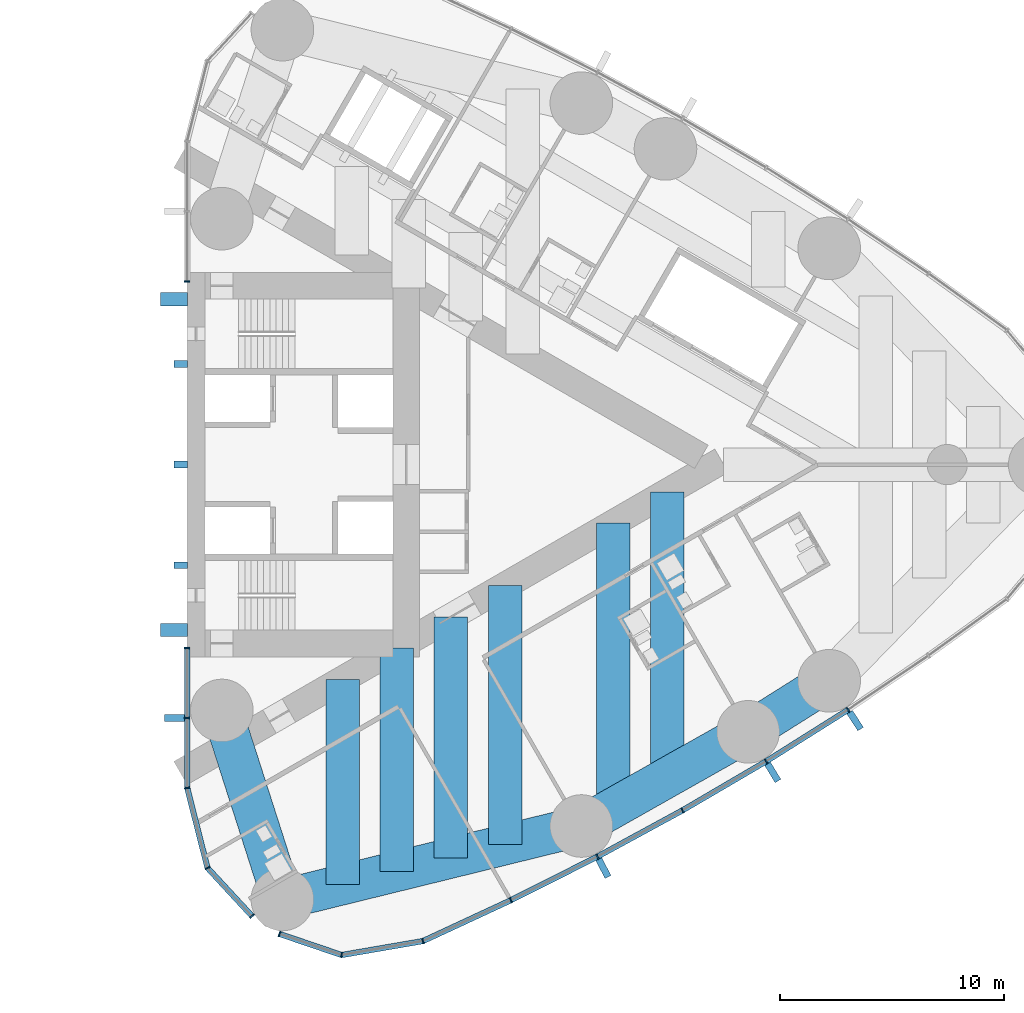
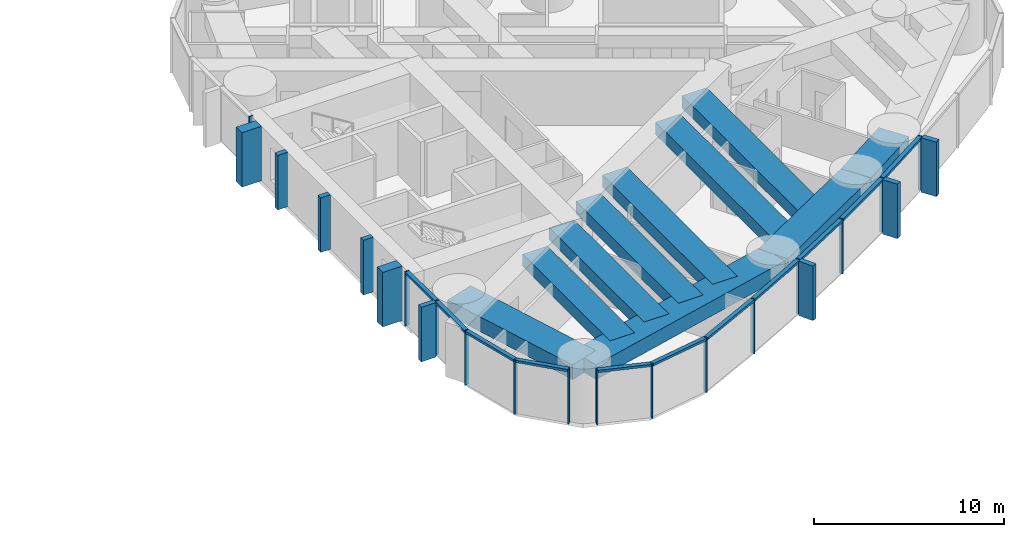
# One storey, part 6 of 19: 34 members, 10 beams, 3 elements without a shape of their own.
"""IFC4 building model written with IfcOpenShell, lengths in metres."""

from ifc_helpers import new_model, si_unit, direction, frame, origin, origin_2d, place, context, subcontext, project, spatial, rectangle, extrude, material, material_profile, profile_set, type_object, element, aggregate, save


model = new_model("IFC4")

# Units and contexts
model_context = context("Model", 3, precision=1e-05, world=origin(), true_north=direction((0.0, 1.0)))
body_context = subcontext(model_context, "Body", "Model", "MODEL_VIEW")
ifc_project = project(units=[si_unit("LENGTHUNIT", "METRE"), si_unit("AREAUNIT", "SQUARE_METRE"), si_unit("VOLUMEUNIT", "CUBIC_METRE"), si_unit("PLANEANGLEUNIT", "RADIAN"), si_unit("MASSUNIT", "GRAM", prefix="KILO")], contexts=[model_context])

# Site, building, storey
site_placement = place(None, origin())
site = spatial("IfcSite", under=ifc_project, at=site_placement, CompositionType="ELEMENT")
building_placement = place(site_placement, origin())
building = spatial("IfcBuilding", under=site, at=building_placement, Name="Lancet Gate Hotel", CompositionType="ELEMENT")
storey_placement = place(building_placement, frame((0.0, 0.0, 159.800048828125)))
storey = spatial("IfcBuildingStorey", under=building, at=storey_placement, Name="L42", CompositionType="ELEMENT", Elevation=159.800048828125)

# Curtain wall, members
ifc_material_1 = material(Name="Aluminium curtain wall", Category="aluminium")
curtain_wall_type = type_object("IfcCurtainWallType", Name="Tower unitised curtain wall", PredefinedType="USERDEFINED", material=ifc_material_1)
curtain_wall_1_placement = place(storey_placement, origin())
curtain_wall_1 = element("IfcCurtainWall", 1, at=curtain_wall_1_placement, inside=storey, type_object=curtain_wall_type, Name="T2 L42 curtain wall 1", ObjectType="UNITISED CURTAIN WALL", PredefinedType="USERDEFINED")
ifc_material_2 = material(Name="Aluminium mullion", Category="aluminium")
ifc_material_profile_1 = material_profile(ifc_material_2, rectangle(XDim=0.06494140625, YDim=0.25, at=origin_2d()), Name="MULLION 65x250")
ifc_profile_set_1 = profile_set([ifc_material_profile_1], Name="Aluminium mullion")
member_type_1 = type_object("IfcMemberType", Name="Aluminium mullion 65x250", PredefinedType="MULLION", material=ifc_profile_set_1)
member_1_placement = place(storey_placement, frame((27.5, -8.199951171875, 0.0), z_axis=(0.0, 0.0, 1.0), x_axis=(0.0, -1.0, 0.0)))
member_1 = element("IfcMember", 2, at=member_1_placement, type_object=member_type_1, Name="T2 L42 curtain wall 1 mullion 1", PredefinedType="MULLION", context=body_context, shape_type="SweptSolid", body=[
    extrude(rectangle(XDim=0.06494140625, YDim=0.25, at=origin_2d()), origin(), (0.0, 0.0, 1.0), 3.5),
])
member_2_placement = place(storey_placement, frame((27.5, -11.332763671875, 0.0), z_axis=(0.0, 0.0, 1.0), x_axis=(0.0, -1.0, 0.0)))
member_2 = element("IfcMember", 3, at=member_2_placement, type_object=member_type_1, Name="T2 L42 curtain wall 1 mullion 2", PredefinedType="MULLION", context=body_context, shape_type="SweptSolid", body=[
    extrude(rectangle(XDim=0.06494140625, YDim=0.25, at=origin_2d()), origin(), (0.0, 0.0, 1.0), 3.5),
])
member_3_placement = place(storey_placement, frame((27.5, -14.465576171875, 0.0), z_axis=(0.0, 0.0, 1.0), x_axis=(0.134206524909, -0.990953383703, 0.0)))
member_3 = element("IfcMember", 4, at=member_3_placement, type_object=member_type_1, Name="T2 L42 curtain wall 1 mullion 3", PredefinedType="MULLION", context=body_context, shape_type="SweptSolid", body=[
    extrude(rectangle(XDim=0.06494140625, YDim=0.25, at=origin_2d()), origin(), (0.0, 0.0, 1.0), 3.5),
])
member_4_placement = place(storey_placement, frame((28.408935546875, -18.04443359375, 0.0), z_axis=(0.0, 0.0, 1.0), x_axis=(0.451505925065, -0.892268120932, 0.0)))
member_4 = element("IfcMember", 5, at=member_4_placement, type_object=member_type_1, Name="T2 L42 curtain wall 1 mullion 4", PredefinedType="MULLION", context=body_context, shape_type="SweptSolid", body=[
    extrude(rectangle(XDim=0.06494140625, YDim=0.25, at=origin_2d()), origin(), (0.0, 0.0, 1.0), 3.5),
])
member_5_placement = place(storey_placement, frame((30.40185546875, -20.199951171875, 0.0), z_axis=(0.0, 0.0, 1.0), x_axis=(0.67883123083, -0.734294327943, 0.0)))
member_5 = element("IfcMember", 6, at=member_5_placement, type_object=member_type_1, Name="T2 L42 curtain wall 1 mullion 5", PredefinedType="MULLION", context=body_context, shape_type="SweptSolid", body=[
    extrude(rectangle(XDim=0.06494140625, YDim=0.25, at=origin_2d()), origin(), (0.0, 0.0, 1.0), 3.5),
])

curtain_wall_2_placement = place(storey_placement, origin())
curtain_wall_2 = element("IfcCurtainWall", 7, at=curtain_wall_2_placement, inside=storey, type_object=curtain_wall_type, Name="T2 L42 curtain wall 2", ObjectType="UNITISED CURTAIN WALL", PredefinedType="USERDEFINED")
member_6_placement = place(storey_placement, frame((31.631591796875, -20.998779296875, 0.0), z_axis=(0.0, 0.0, 1.0), x_axis=(0.946952368511, -0.321373943827, 0.0)))
member_6 = element("IfcMember", 8, at=member_6_placement, type_object=member_type_1, Name="T2 L42 curtain wall 2 mullion 1", PredefinedType="MULLION", context=body_context, shape_type="SweptSolid", body=[
    extrude(rectangle(XDim=0.06494140625, YDim=0.25, at=origin_2d()), origin(), (0.0, 0.0, 1.0), 3.5),
])
member_7_placement = place(storey_placement, frame((34.412109375, -21.9423828125, 0.0), z_axis=(0.0, 0.0, 1.0), x_axis=(0.99877556888, -0.049470829879, 0.0)))
member_7 = element("IfcMember", 9, at=member_7_placement, type_object=member_type_1, Name="T2 L42 curtain wall 2 mullion 2", PredefinedType="MULLION", context=body_context, shape_type="SweptSolid", body=[
    extrude(rectangle(XDim=0.06494140625, YDim=0.25, at=origin_2d()), origin(), (0.0, 0.0, 1.0), 3.5),
])
member_8_placement = place(storey_placement, frame((38.05126953125, -21.31689453125, 0.0), z_axis=(0.0, 0.0, 1.0), x_axis=(0.951355493327, 0.308095318555, 0.0)))
member_8 = element("IfcMember", 10, at=member_8_placement, type_object=member_type_1, Name="T2 L42 curtain wall 2 mullion 3", PredefinedType="MULLION", context=body_context, shape_type="SweptSolid", body=[
    extrude(rectangle(XDim=0.06494140625, YDim=0.25, at=origin_2d()), origin(), (0.0, 0.0, 1.0), 3.5),
])
member_9_placement = place(storey_placement, frame((41.98193359375, -19.490966796875, 0.0), z_axis=(0.0, 0.0, 1.0), x_axis=(0.900141333422, 0.435597956681, 0.0)))
member_9 = element("IfcMember", 11, at=member_9_placement, type_object=member_type_1, Name="T2 L42 curtain wall 2 mullion 4", PredefinedType="MULLION", context=body_context, shape_type="SweptSolid", body=[
    extrude(rectangle(XDim=0.06494140625, YDim=0.25, at=origin_2d()), origin(), (0.0, 0.0, 1.0), 3.5),
])
member_10_placement = place(storey_placement, frame((45.8525390625, -17.54150390625, 0.0), z_axis=(0.0, 0.0, 1.0), x_axis=(0.885877049989, 0.463920092584, 0.0)))
member_10 = element("IfcMember", 12, at=member_10_placement, type_object=member_type_1, Name="T2 L42 curtain wall 2 mullion 5", PredefinedType="MULLION", context=body_context, shape_type="SweptSolid", body=[
    extrude(rectangle(XDim=0.06494140625, YDim=0.25, at=origin_2d()), origin(), (0.0, 0.0, 1.0), 3.5),
])
member_11_placement = place(storey_placement, frame((49.65966796875, -15.47021484375, 0.0), z_axis=(0.0, 0.0, 1.0), x_axis=(0.870721916932, 0.491775704336, 0.0)))
member_11 = element("IfcMember", 13, at=member_11_placement, type_object=member_type_1, Name="T2 L42 curtain wall 2 mullion 6", PredefinedType="MULLION", context=body_context, shape_type="SweptSolid", body=[
    extrude(rectangle(XDim=0.06494140625, YDim=0.25, at=origin_2d()), origin(), (0.0, 0.0, 1.0), 3.5),
])
member_12_placement = place(storey_placement, frame((53.39892578125, -13.279541015625, 0.0), z_axis=(0.0, 0.0, 1.0), x_axis=(0.854691174453, 0.519136779965, 0.0)))
member_12 = element("IfcMember", 14, at=member_12_placement, type_object=member_type_1, Name="T2 L42 curtain wall 2 mullion 7", PredefinedType="MULLION", context=body_context, shape_type="SweptSolid", body=[
    extrude(rectangle(XDim=0.06494140625, YDim=0.25, at=origin_2d()), origin(), (0.0, 0.0, 1.0), 3.5),
])
member_13_placement = place(storey_placement, frame((57.067138671875, -10.970947265625, 0.0), z_axis=(0.0, 0.0, 1.0), x_axis=(0.837800943278, 0.545975804815, 0.0)))
member_13 = element("IfcMember", 15, at=member_13_placement, type_object=member_type_1, Name="T2 L42 curtain wall 2 mullion 8", PredefinedType="MULLION", context=body_context, shape_type="SweptSolid", body=[
    extrude(rectangle(XDim=0.06494140625, YDim=0.25, at=origin_2d()), origin(), (0.0, 0.0, 1.0), 3.5),
])

# Curtain wall, member
curtain_wall_3_placement = place(storey_placement, origin())
curtain_wall_3 = element("IfcCurtainWall", 16, at=curtain_wall_3_placement, inside=storey, type_object=curtain_wall_type, Name="T2 L42 curtain wall 4", ObjectType="UNITISED CURTAIN WALL", PredefinedType="USERDEFINED")
member_14_placement = place(storey_placement, frame((27.5, 8.199951171875, 0.0), z_axis=(0.0, 0.0, 1.0), x_axis=(0.0, -1.0, 0.0)))
member_14 = element("IfcMember", 17, at=member_14_placement, type_object=member_type_1, Name="T2 L42 curtain wall 4 mullion 5", PredefinedType="MULLION", context=body_context, shape_type="SweptSolid", body=[
    extrude(rectangle(XDim=0.06494140625, YDim=0.25, at=origin_2d()), origin(), (0.0, 0.0, 1.0), 3.5),
])
aggregate(curtain_wall_3, [member_14])

# Member
ifc_material_3 = material(Name="Aluminium transom", Category="aluminium")
ifc_material_profile_2 = material_profile(ifc_material_3, rectangle(XDim=0.25, YDim=0.14990234375, at=origin_2d()), Name="TRANSOM 250x150")
ifc_profile_set_2 = profile_set([ifc_material_profile_2], Name="Aluminium transom")
member_type_2 = type_object("IfcMemberType", Name="Aluminium transom 250x150", PredefinedType="USERDEFINED", material=ifc_profile_set_2)
member_15_placement = place(storey_placement, frame((27.5, -8.232421875, 3.425048828125), z_axis=(0.0, -1.0, 0.0), x_axis=(1.0, 0.0, 0.0)))
member_15 = element("IfcMember", 18, at=member_15_placement, type_object=member_type_2, Name="T2 L42 curtain wall 1 transom 1", ObjectType="TRANSOM", PredefinedType="USERDEFINED", context=body_context, shape_type="SweptSolid", body=[
    extrude(rectangle(XDim=0.25, YDim=0.14990234375, at=origin_2d()), origin(), (0.0, 0.0, 1.0), 3.06787109375),
])

member_16_placement = place(storey_placement, frame((27.5, -11.365234375, 3.425048828125), z_axis=(0.0, -1.0, 0.0), x_axis=(1.0, 0.0, 0.0)))
member_16 = element("IfcMember", 19, at=member_16_placement, type_object=member_type_2, Name="T2 L42 curtain wall 1 transom 2", ObjectType="TRANSOM", PredefinedType="USERDEFINED", context=body_context, shape_type="SweptSolid", body=[
    extrude(rectangle(XDim=0.25, YDim=0.14990234375, at=origin_2d()), origin(), (0.0, 0.0, 1.0), 3.06787109375),
])

member_17_placement = place(storey_placement, frame((27.508056640625, -14.4970703125, 3.425048828125), z_axis=(0.246128756616, -0.969237140831, 0.0), x_axis=(0.969237140831, 0.246128756616, 0.0)))
member_17 = element("IfcMember", 20, at=member_17_placement, type_object=member_type_2, Name="T2 L42 curtain wall 1 transom 3", ObjectType="TRANSOM", PredefinedType="USERDEFINED", context=body_context, shape_type="SweptSolid", body=[
    extrude(rectangle(XDim=0.25, YDim=0.14990234375, at=origin_2d()), origin(), (0.0, 0.0, 1.0), 3.62744140625),
])

member_18_placement = place(storey_placement, frame((28.43115234375, -18.068359375, 3.425048828125), z_axis=(0.678792146129, -0.734330458549, 0.0), x_axis=(0.734330458549, 0.678792146129, 0.0)))
member_18 = element("IfcMember", 21, at=member_18_placement, type_object=member_type_2, Name="T2 L42 curtain wall 1 transom 4", ObjectType="TRANSOM", PredefinedType="USERDEFINED", context=body_context, shape_type="SweptSolid", body=[
    extrude(rectangle(XDim=0.25, YDim=0.14990234375, at=origin_2d()), origin(), (0.0, 0.0, 1.0), 2.87060546875),
])

member_19_placement = place(storey_placement, frame((31.662353515625, -21.00927734375, 3.425048828125), z_axis=(0.946943122832, -0.321401185625, 0.0), x_axis=(0.321401185625, 0.946943122832, 0.0)))
member_19 = element("IfcMember", 22, at=member_19_placement, type_object=member_type_2, Name="T2 L42 curtain wall 2 transom 1", ObjectType="TRANSOM", PredefinedType="USERDEFINED", context=body_context, shape_type="SweptSolid", body=[
    extrude(rectangle(XDim=0.25, YDim=0.14990234375, at=origin_2d()), origin(), (0.0, 0.0, 1.0), 2.871337890625),
])

member_20_placement = place(storey_placement, frame((34.444091796875, -21.93701171875, 3.425048828125), z_axis=(0.985536950873, 0.169460669373, 0.0), x_axis=(-0.169460669373, 0.985536950873, 0.0)))
member_20 = element("IfcMember", 23, at=member_20_placement, type_object=member_type_2, Name="T2 L42 curtain wall 2 transom 2", ObjectType="TRANSOM", PredefinedType="USERDEFINED", context=body_context, shape_type="SweptSolid", body=[
    extrude(rectangle(XDim=0.25, YDim=0.14990234375, at=origin_2d()), origin(), (0.0, 0.0, 1.0), 3.627685546875),
])

member_21_placement = place(storey_placement, frame((38.080810546875, -21.30322265625, 3.425048828125), z_axis=(0.906913768492, 0.421316290357, 0.0), x_axis=(-0.421316290357, 0.906913768492, 0.0)))
member_21 = element("IfcMember", 24, at=member_21_placement, type_object=member_type_2, Name="T2 L42 curtain wall 2 transom 3", ObjectType="TRANSOM", PredefinedType="USERDEFINED", context=body_context, shape_type="SweptSolid", body=[
    extrude(rectangle(XDim=0.25, YDim=0.14990234375, at=origin_2d()), origin(), (0.0, 0.0, 1.0), 4.26904296875),
])

member_22_placement = place(storey_placement, frame((42.010986328125, -19.476318359375, 3.425048828125), z_axis=(0.893130969207, 0.449796700571, 0.0), x_axis=(-0.449796700571, 0.893130969207, 0.0)))
member_22 = element("IfcMember", 25, at=member_22_placement, type_object=member_type_2, Name="T2 L42 curtain wall 2 transom 4", ObjectType="TRANSOM", PredefinedType="USERDEFINED", context=body_context, shape_type="SweptSolid", body=[
    extrude(rectangle(XDim=0.25, YDim=0.14990234375, at=origin_2d()), origin(), (0.0, 0.0, 1.0), 4.26904296875),
])

member_23_placement = place(storey_placement, frame((45.881103515625, -17.526123046875, 3.425048828125), z_axis=(0.878404302735, 0.477918278513, 0.0), x_axis=(-0.477918278513, 0.878404302735, 0.0)))
member_23 = element("IfcMember", 26, at=member_23_placement, type_object=member_type_2, Name="T2 L42 curtain wall 2 transom 5", ObjectType="TRANSOM", PredefinedType="USERDEFINED", context=body_context, shape_type="SweptSolid", body=[
    extrude(rectangle(XDim=0.25, YDim=0.14990234375, at=origin_2d()), origin(), (0.0, 0.0, 1.0), 4.26904296875),
])

member_24_placement = place(storey_placement, frame((49.687744140625, -15.453857421875, 3.425048828125), z_axis=(0.862825279032, 0.505502262966, 0.0), x_axis=(-0.505502262966, 0.862825279032, 0.0)))
member_24 = element("IfcMember", 27, at=member_24_placement, type_object=member_type_2, Name="T2 L42 curtain wall 2 transom 6", ObjectType="TRANSOM", PredefinedType="USERDEFINED", context=body_context, shape_type="SweptSolid", body=[
    extrude(rectangle(XDim=0.25, YDim=0.14990234375, at=origin_2d()), origin(), (0.0, 0.0, 1.0), 4.26904296875),
])

member_25_placement = place(storey_placement, frame((53.426513671875, -13.26220703125, 3.425048828125), z_axis=(0.846333101657, 0.532653997488, 0.0), x_axis=(-0.532653997488, 0.846333101657, 0.0)))
member_25 = element("IfcMember", 28, at=member_25_placement, type_object=member_type_2, Name="T2 L42 curtain wall 2 transom 7", ObjectType="TRANSOM", PredefinedType="USERDEFINED", context=body_context, shape_type="SweptSolid", body=[
    extrude(rectangle(XDim=0.25, YDim=0.14990234375, at=origin_2d()), origin(), (0.0, 0.0, 1.0), 4.26904296875),
])

# Beams
ifc_material_4 = material(Name="Concrete C50/60", Category="concrete")
ifc_material_profile_3 = material_profile(ifc_material_4, rectangle(XDim=1.800048828125, YDim=0.949951171875, at=origin_2d()), Name="RC 1800x950")
ifc_profile_set_3 = profile_set([ifc_material_profile_3], Name="Concrete C50/60")
beam_type_1 = type_object("IfcBeamType", Name="Edge beam RC 1800x950", PredefinedType="SPANDREL", material=ifc_profile_set_3)
beam_1_placement = place(storey_placement, frame((31.759765625, -19.455810546875, 2.77490234375), z_axis=(0.971093253227, 0.238700426344, 0.0), x_axis=(-0.238700426344, 0.971093253227, 0.0)))
element("IfcBeam", 29, at=beam_1_placement, inside=storey, type_object=beam_type_1, Name="T2 edge beam EB1 L42", PredefinedType="SPANDREL", context=body_context, shape_type="SweptSolid", body=[
    extrude(rectangle(XDim=1.800048828125, YDim=0.949951171875, at=origin_2d()), origin(), (0.0, 0.0, 1.0), 13.77197265625),
])
beam_2_placement = place(storey_placement, frame((45.133544921875, -16.16845703125, 2.77490234375), z_axis=(0.870721990329, 0.491775574381, 0.0), x_axis=(-0.491775574381, 0.870721990329, 0.0)))
element("IfcBeam", 30, at=beam_2_placement, inside=storey, type_object=beam_type_1, Name="T2 edge beam EB1 L42", PredefinedType="SPANDREL", context=body_context, shape_type="SweptSolid", body=[
    extrude(rectangle(XDim=1.800048828125, YDim=0.949951171875, at=origin_2d()), origin(), (0.0, 0.0, 1.0), 8.568603515625),
])
beam_3_placement = place(storey_placement, frame((52.594482421875, -11.95458984375, 2.77490234375), z_axis=(0.846348902569, 0.532628890617, 0.0), x_axis=(-0.532628890617, 0.846348902569, 0.0)))
element("IfcBeam", 31, at=beam_3_placement, inside=storey, type_object=beam_type_1, Name="T2 edge beam EB1 L42", PredefinedType="SPANDREL", context=body_context, shape_type="SweptSolid", body=[
    extrude(rectangle(XDim=1.800048828125, YDim=0.949951171875, at=origin_2d()), origin(), (0.0, 0.0, 1.0), 4.284912109375),
])
beam_4_placement = place(storey_placement, frame((31.759765625, -19.455810546875, 2.77490234375), z_axis=(-0.305169772986, 0.952297962644, 0.0), x_axis=(-0.952297962644, -0.305169772986, 0.0)))
element("IfcBeam", 32, at=beam_4_placement, inside=storey, type_object=beam_type_1, Name="T2 edge beam EB1 L42", PredefinedType="SPANDREL", context=body_context, shape_type="SweptSolid", body=[
    extrude(rectangle(XDim=1.800048828125, YDim=0.949951171875, at=origin_2d()), origin(), (0.0, 0.0, 1.0), 8.87939453125),
])

# Members
ifc_material_5 = material(Name="Concrete C60/75", Category="concrete")
ifc_material_profile_4 = material_profile(ifc_material_5, rectangle(XDim=0.60009765625, YDim=1.199951171875, at=origin_2d()), Name="FIN 600x1200")
ifc_profile_set_4 = profile_set([ifc_material_profile_4], Name="Concrete C60/75")
member_type_3 = type_object("IfcMemberType", Name="Exposed concrete buttress pilaster 600x1200", PredefinedType="USERDEFINED", material=ifc_profile_set_4)
for number, where, z_axis, x_axis, name in (
    (33, (26.909912109375, -7.39990234375, 0.0), (0.0, 0.0, 1.0), (0.0, 1.0, 0.0), "T2 buttress pilaster S L42"),
    (34, (26.909912109375, 7.39990234375, 0.0), (0.0, 0.0, 1.0), (0.0, 1.0, 0.0), "T2 buttress pilaster N L42"),
):
    element("IfcMember", number, at=place(storey_placement, frame(where, z_axis=z_axis, x_axis=x_axis)), inside=storey, type_object=member_type_3, Name=name, ObjectType="FIN", PredefinedType="USERDEFINED", context=body_context, shape_type="SweptSolid", body=[
        extrude(rectangle(XDim=0.60009765625, YDim=1.199951171875, at=origin_2d()), origin(), (0.0, 0.0, 1.0), 3.5),
    ])

# Member
ifc_material_6 = material(Name="Precast concrete C50/60", Category="concrete")
ifc_material_profile_5 = material_profile(ifc_material_6, rectangle(XDim=0.300048828125, YDim=0.89990234375, at=origin_2d()), Name="FIN 300x900")
ifc_profile_set_5 = profile_set([ifc_material_profile_5], Name="Precast concrete C50/60")
member_type_4 = type_object("IfcMemberType", Name="Exposed concrete fin 300x900", PredefinedType="USERDEFINED", material=ifc_profile_set_5)
member_26_placement = place(storey_placement, frame((26.925048828125, -11.332763671875, 0.0), z_axis=(0.0, 0.0, 1.0), x_axis=(0.0, -1.0, 0.0)))
member_26 = element("IfcMember", 35, at=member_26_placement, type_object=member_type_4, Name="T2 L42 curtain wall 1 fin 2", ObjectType="FIN", PredefinedType="USERDEFINED", context=body_context, shape_type="SweptSolid", body=[
    extrude(rectangle(XDim=0.300048828125, YDim=0.89990234375, at=origin_2d()), origin(), (0.0, 0.0, 1.0), 3.5),
])

aggregate(curtain_wall_1, [member_1, member_2, member_26, member_3, member_4, member_5, member_15, member_16, member_17, member_18])

member_27_placement = place(storey_placement, frame((46.119384765625, -18.051025390625, 0.0), z_axis=(0.0, 0.0, 1.0), x_axis=(0.885877049989, 0.463920092584, 0.0)))
member_27 = element("IfcMember", 36, at=member_27_placement, type_object=member_type_4, Name="T2 L42 curtain wall 2 fin 5", ObjectType="FIN", PredefinedType="USERDEFINED", context=body_context, shape_type="SweptSolid", body=[
    extrude(rectangle(XDim=0.300048828125, YDim=0.89990234375, at=origin_2d()), origin(), (0.0, 0.0, 1.0), 3.5),
])

member_28_placement = place(storey_placement, frame((53.697509765625, -13.770751953125, 0.0), z_axis=(0.0, 0.0, 1.0), x_axis=(0.854691174453, 0.519136779965, 0.0)))
member_28 = element("IfcMember", 37, at=member_28_placement, type_object=member_type_4, Name="T2 L42 curtain wall 2 fin 7", ObjectType="FIN", PredefinedType="USERDEFINED", context=body_context, shape_type="SweptSolid", body=[
    extrude(rectangle(XDim=0.300048828125, YDim=0.89990234375, at=origin_2d()), origin(), (0.0, 0.0, 1.0), 3.5),
])

member_29_placement = place(storey_placement, frame((57.381103515625, -11.452880859375, 0.0), z_axis=(0.0, 0.0, 1.0), x_axis=(0.837800943278, 0.545975804815, 0.0)))
member_29 = element("IfcMember", 38, at=member_29_placement, type_object=member_type_4, Name="T2 L42 curtain wall 2 fin 8", ObjectType="FIN", PredefinedType="USERDEFINED", context=body_context, shape_type="SweptSolid", body=[
    extrude(rectangle(XDim=0.300048828125, YDim=0.89990234375, at=origin_2d()), origin(), (0.0, 0.0, 1.0), 3.5),
])

aggregate(curtain_wall_2, [member_6, member_7, member_8, member_9, member_10, member_27, member_11, member_12, member_28, member_13, member_29, member_19, member_20, member_21, member_22, member_23, member_24, member_25])

# Members
ifc_material_7 = material(Name="Concrete C60/75", Category="concrete")
ifc_material_profile_6 = material_profile(ifc_material_7, rectangle(XDim=0.300048828125, YDim=0.60009765625, at=origin_2d()), Name="FIN 300x600")
ifc_profile_set_6 = profile_set([ifc_material_profile_6], Name="Concrete C60/75")
member_type_5 = type_object("IfcMemberType", Name="Exposed concrete rib 300x600", PredefinedType="USERDEFINED", material=ifc_profile_set_6)
for number, where, z_axis, x_axis, name in (
    (39, (27.2099609375, -4.5, 0.0), (0.0, 0.0, 1.0), (0.0, 1.0, 0.0), "T2 core rib 1 L42"),
    (40, (27.2099609375, 0.0, 0.0), (0.0, 0.0, 1.0), (0.0, 1.0, 0.0), "T2 core rib 2 L42"),
    (41, (27.2099609375, 4.5, 0.0), (0.0, 0.0, 1.0), (0.0, 1.0, 0.0), "T2 core rib 3 L42"),
):
    element("IfcMember", number, at=place(storey_placement, frame(where, z_axis=z_axis, x_axis=x_axis)), inside=storey, type_object=member_type_5, Name=name, ObjectType="FIN", PredefinedType="USERDEFINED", context=body_context, shape_type="SweptSolid", body=[
        extrude(rectangle(XDim=0.300048828125, YDim=0.60009765625, at=origin_2d()), origin(), (0.0, 0.0, 1.0), 3.5),
    ])

# Beams
ifc_material_8 = material(Name="Concrete C50/60", Category="concrete")
ifc_material_profile_7 = material_profile(ifc_material_8, rectangle(XDim=1.5, YDim=0.800048828125, at=origin_2d()), Name="RC 1500x800")
ifc_profile_set_7 = profile_set([ifc_material_profile_7], Name="Concrete C50/60")
beam_type_2 = type_object("IfcBeamType", Name="Floor beam RC 1500x800", PredefinedType="BEAM", material=ifc_profile_set_7)
beam_5_placement = place(storey_placement, frame((34.460693359375, -18.7919921875, 2.849853515625), z_axis=(0.0, 1.0, 0.0), x_axis=(-1.0, 0.0, 0.0)))
element("IfcBeam", 42, at=beam_5_placement, inside=storey, type_object=beam_type_2, Name="T2 floor beam F01S L42", PredefinedType="BEAM", context=body_context, shape_type="SweptSolid", body=[
    extrude(rectangle(XDim=1.5, YDim=0.800048828125, at=origin_2d()), origin(), (0.0, 0.0, 1.0), 9.18408203125),
])
beam_6_placement = place(storey_placement, frame((36.880859375, -18.197021484375, 2.849853515625), z_axis=(0.0, 1.0, 0.0), x_axis=(-1.0, 0.0, 0.0)))
element("IfcBeam", 43, at=beam_6_placement, inside=storey, type_object=beam_type_2, Name="T2 floor beam F03S L42", PredefinedType="BEAM", context=body_context, shape_type="SweptSolid", body=[
    extrude(rectangle(XDim=1.5, YDim=0.800048828125, at=origin_2d()), origin(), (0.0, 0.0, 1.0), 9.986328125),
])
beam_7_placement = place(storey_placement, frame((39.301025390625, -17.60205078125, 2.849853515625), z_axis=(0.0, 1.0, 0.0), x_axis=(-1.0, 0.0, 0.0)))
element("IfcBeam", 44, at=beam_7_placement, inside=storey, type_object=beam_type_2, Name="T2 floor beam F05S L42", PredefinedType="BEAM", context=body_context, shape_type="SweptSolid", body=[
    extrude(rectangle(XDim=1.5, YDim=0.800048828125, at=origin_2d()), origin(), (0.0, 0.0, 1.0), 10.78857421875),
])
beam_8_placement = place(storey_placement, frame((41.721435546875, -17.007080078125, 2.849853515625), z_axis=(0.0, 1.0, 0.0), x_axis=(-1.0, 0.0, 0.0)))
element("IfcBeam", 45, at=beam_8_placement, inside=storey, type_object=beam_type_2, Name="T2 floor beam F07S L42", PredefinedType="BEAM", context=body_context, shape_type="SweptSolid", body=[
    extrude(rectangle(XDim=1.5, YDim=0.800048828125, at=origin_2d()), origin(), (0.0, 0.0, 1.0), 11.591064453125),
])
beam_9_placement = place(storey_placement, frame((46.561767578125, -15.36181640625, 2.849853515625), z_axis=(0.0, 1.0, 0.0), x_axis=(-1.0, 0.0, 0.0)))
element("IfcBeam", 46, at=beam_9_placement, inside=storey, type_object=beam_type_2, Name="T2 floor beam F09S L42", PredefinedType="BEAM", context=body_context, shape_type="SweptSolid", body=[
    extrude(rectangle(XDim=1.5, YDim=0.800048828125, at=origin_2d()), origin(), (0.0, 0.0, 1.0), 12.740478515625),
])
beam_10_placement = place(storey_placement, frame((48.98193359375, -13.994873046875, 2.849853515625), z_axis=(0.0, 1.0, 0.0), x_axis=(-1.0, 0.0, 0.0)))
element("IfcBeam", 47, at=beam_10_placement, inside=storey, type_object=beam_type_2, Name="T2 floor beam F10S L42", PredefinedType="BEAM", context=body_context, shape_type="SweptSolid", body=[
    extrude(rectangle(XDim=1.5, YDim=0.800048828125, at=origin_2d()), origin(), (0.0, 0.0, 1.0), 12.770751953125),
])

save(model, "model.ifc")
